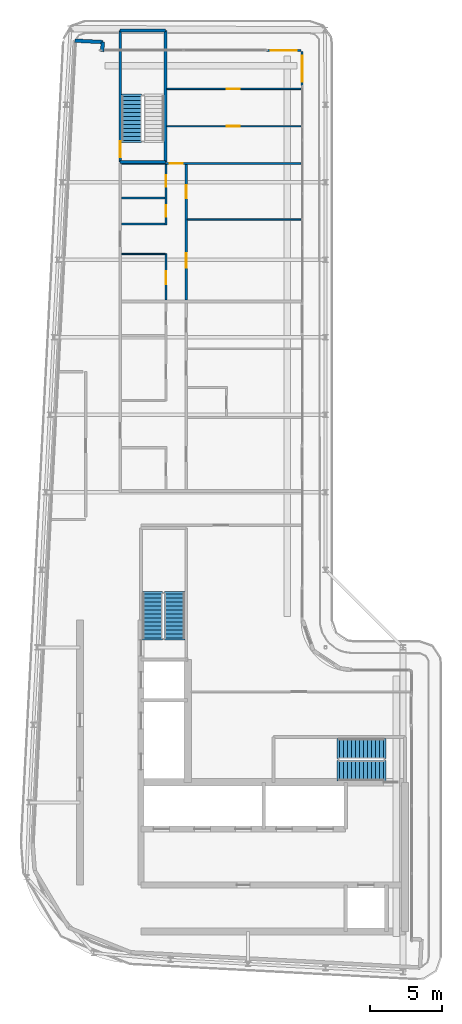
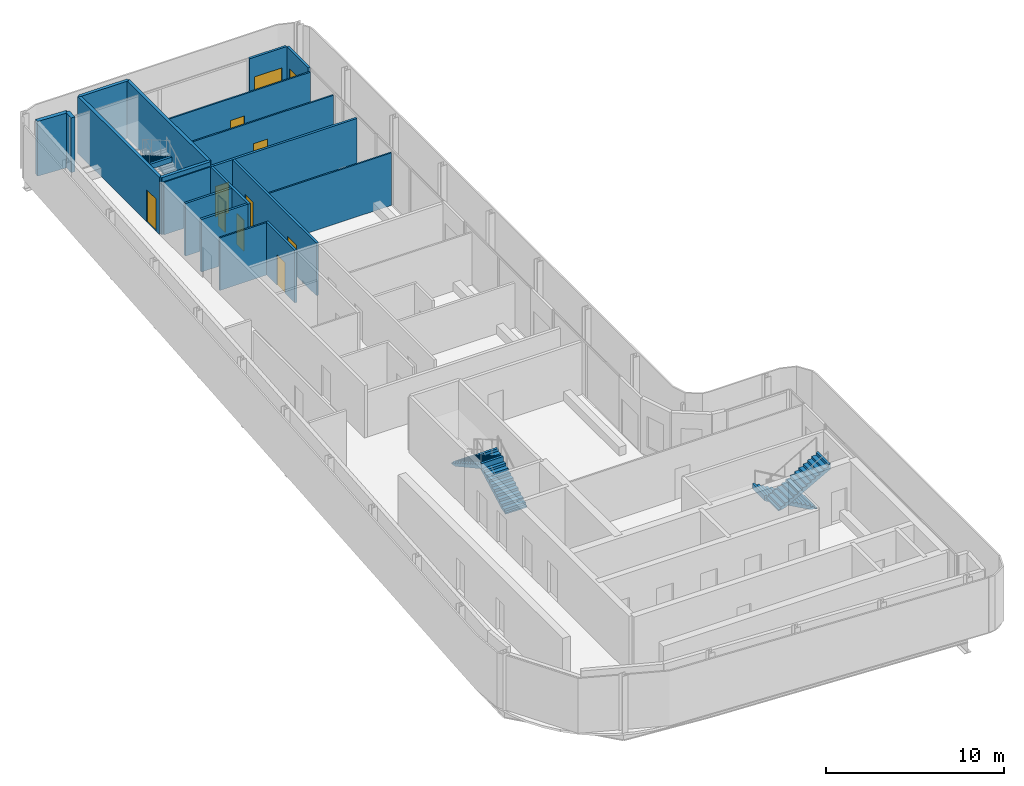
# One storey, part 11 of 17: 18 walls, 11 doors, 5 stair flights, 11 openings, 3 elements without a shape of their own.
"""IFC4 building model written with IfcOpenShell, lengths in metres."""

from ifc_helpers import new_model, si_unit, direction, frame, frame_2d, origin, place, context, subcontext, project, spatial, polyline, rectangle, outline, extrude, source, transform, mapped, material, layer, layer_set, type_object, element, fill, aggregate, save


model = new_model("IFC4")

# Units and contexts
model_context = context("Model", 3, precision=1e-05, world=origin(), true_north=direction((0.0, 1.0)))
body_context = subcontext(model_context, "Body", "Model", "MODEL_VIEW")
ifc_project = project(units=[si_unit("LENGTHUNIT", "METRE"), si_unit("AREAUNIT", "SQUARE_METRE"), si_unit("VOLUMEUNIT", "CUBIC_METRE"), si_unit("PLANEANGLEUNIT", "RADIAN"), si_unit("MASSUNIT", "GRAM", prefix="KILO")], contexts=[model_context])

# Site, building, storey
site_placement = place(None, origin())
site = spatial("IfcSite", under=ifc_project, at=site_placement, CompositionType="ELEMENT")
building_placement = place(site_placement, origin())
building = spatial("IfcBuilding", under=site, at=building_placement, Name="Kheshtan School and Residences Tower", CompositionType="ELEMENT")
storey_placement = place(building_placement, frame((0.0, 0.0, 342.199951171875)))
storey = spatial("IfcBuildingStorey", under=building, at=storey_placement, Name="L80", CompositionType="ELEMENT", Elevation=342.199951171875)

# Walls
ifc_material_1 = material(Name="Concrete C40/50 with ceramic cladding and mineral wool insulation", Category="concrete")
ifc_layer_1 = layer(ifc_material_1, 0.25)
ifc_layer_set_1 = layer_set([ifc_layer_1], Name="External wall 250 ceramic clad")
wall_type_1 = type_object("IfcWallType", Name="External wall 250 ceramic clad", PredefinedType="SOLIDWALL", material=ifc_layer_set_1)
wall_1_placement = place(storey_placement, frame((30.136962890625, 87.864013671875, 0.0), z_axis=(0.0, 0.0, 1.0), x_axis=(0.998577785791, -0.053314216913, 0.0)))
element("IfcWall", 1, at=wall_1_placement, inside=storey, type_object=wall_type_1, Name="External wall L80 1", PredefinedType="SOLIDWALL", context=body_context, shape_type="SweptSolid", body=[
    extrude(rectangle(XDim=1.95068359375, YDim=0.25, at=frame_2d((0.975341796875, 0.0))), origin(), (0.0, 0.0, 1.0), 3.75),
])
wall_2_placement = place(storey_placement, frame((32.0849609375, 87.760009765625, 0.0), z_axis=(0.0, 0.0, 1.0), x_axis=(-0.053729014033, -0.998555553312, 0.0)))
element("IfcWall", 2, at=wall_2_placement, inside=storey, type_object=wall_type_1, Name="External wall L80 2", PredefinedType="SOLIDWALL", context=body_context, shape_type="SweptSolid", body=[
    extrude(rectangle(XDim=0.66796875, YDim=0.25, at=frame_2d((0.333984375, 0.0))), origin(), (0.0, 0.0, 1.0), 3.75),
])

# Wall, opening, door
ifc_material_2 = material(Name="Aluminium frame wall with insulated infill", Category="aluminium")
ifc_layer_2 = layer(ifc_material_2, 0.14990234375)
ifc_layer_set_2 = layer_set([ifc_layer_2], Name="Glazing frame wall 150")
wall_type_2 = type_object("IfcWallType", Name="Glazing frame wall 150", PredefinedType="SOLIDWALL", material=ifc_layer_set_2)
wall_3_placement = place(storey_placement, frame((43.5, 87.175048828125, 0.0), z_axis=(0.0, 0.0, 1.0), x_axis=(1.0, 0.0, 0.0)))
wall_3 = element("IfcWall", 3, at=wall_3_placement, inside=storey, type_object=wall_type_2, Name="Balcony door wall L80 3.1", PredefinedType="SOLIDWALL", context=body_context, shape_type="SweptSolid", body=[
    extrude(rectangle(XDim=2.39990234375, YDim=0.14990234375, at=frame_2d((1.199951171875, 0.0))), origin(), (0.0, 0.0, 1.0), 3.75),
])
opening_1_placement = place(wall_3_placement, frame((0.300048828125, 0.0, 0.0)))
opening_1 = element("IfcOpeningElement", 4, at=opening_1_placement, cuts=wall_3, Name="Opening BD", PredefinedType="OPENING", context=body_context, shape_type="SweptSolid", body=[
    extrude(rectangle(XDim=1.800048828125, YDim=2.39990234375, at=frame_2d((0.89990234375, 1.199951171875))), frame((0.0, 0.0849609375, 0.0), z_axis=(0.0, -1.0, 0.0), x_axis=(1.0, 0.0, 0.0)), (0.0, 0.0, 1.0), 0.169921875),
])
ifc_material_3 = material(Name="Clear low-e glass in thermally broken aluminium frame", Category="aluminium")
door_type_1 = type_object("IfcDoorType", Name="Balcony sliding door", OperationType="SLIDING_TO_LEFT", PredefinedType="DOOR", material=ifc_material_3)
shared_shape_1 = source(origin(), body_context, "Body", "SweptSolid", [
    extrude(rectangle(XDim=1.800048828125, YDim=2.39990234375, at=frame_2d((0.89990234375, 1.199951171875))), frame((0.0, 0.02490234375, 0.0), z_axis=(0.0, -1.0, 0.0), x_axis=(1.0, 0.0, 0.0)), (0.0, 0.0, 1.0), 0.050048828125),
])
door_1_placement = place(opening_1_placement, origin())
door_1 = element("IfcDoor", 5, at=door_1_placement, inside=storey, type_object=door_type_1, Name="Balcony door L80 3.1", OperationType="SLIDING_TO_LEFT", OverallHeight=2.39990234375, OverallWidth=1.800048828125, PredefinedType="DOOR", context=body_context, shape_type="MappedRepresentation", body=[
    mapped(shared_shape_1, transform((0.0, 0.0, 0.0), x_axis=(1.0, 0.0, 0.0), y_axis=(0.0, 1.0, 0.0), z_axis=(0.0, 0.0, 1.0), scale=1.0)),
])
fill(opening_1, door_1)

wall_4_placement = place(storey_placement, frame((45.97509765625, 87.10009765625, 0.0), z_axis=(0.0, 0.0, 1.0), x_axis=(0.0, -1.0, 0.0)))
wall_4 = element("IfcWall", 6, at=wall_4_placement, inside=storey, type_object=wall_type_2, Name="Balcony door wall L80 4.1", PredefinedType="SOLIDWALL", context=body_context, shape_type="SweptSolid", body=[
    extrude(rectangle(XDim=2.400146484375, YDim=0.14990234375, at=frame_2d((1.2001953125, 0.0))), origin(), (0.0, 0.0, 1.0), 3.75),
])
opening_2_placement = place(wall_4_placement, frame((0.300048828125, 0.0, 0.0)))
opening_2 = element("IfcOpeningElement", 7, at=opening_2_placement, cuts=wall_4, Name="Opening BD", PredefinedType="OPENING", context=body_context, shape_type="SweptSolid", body=[
    extrude(rectangle(XDim=1.800048828125, YDim=2.39990234375, at=frame_2d((0.89990234375, 1.199951171875))), frame((0.0, 0.0849609375, 0.0), z_axis=(0.0, -1.0, 0.0), x_axis=(1.0, 0.0, 0.0)), (0.0, 0.0, 1.0), 0.169921875),
])
door_2_placement = place(opening_2_placement, origin())
door_2 = element("IfcDoor", 8, at=door_2_placement, inside=storey, type_object=door_type_1, Name="Balcony door L80 4.1", OperationType="SLIDING_TO_LEFT", OverallHeight=2.39990234375, OverallWidth=1.800048828125, PredefinedType="DOOR", context=body_context, shape_type="MappedRepresentation", body=[
    mapped(shared_shape_1, transform((0.0, 0.0, 0.0), x_axis=(1.0, 0.0, 0.0), y_axis=(0.0, 1.0, 0.0), z_axis=(0.0, 0.0, 1.0), scale=1.0)),
])
fill(opening_2, door_2)

# Wall
ifc_material_4 = material(Name="Gypsum board on steel studs", Category="steel")
ifc_layer_3 = layer(ifc_material_4, 0.10009765625)
ifc_layer_set_3 = layer_set([ifc_layer_3], Name="Gypsum partition 100")
wall_type_3 = type_object("IfcWallType", Name="Gypsum partition 100", PredefinedType="PARTITIONING", material=ifc_layer_set_3)
wall_5_placement = place(storey_placement, frame((33.39990234375, 73.0, 0.0), z_axis=(0.0, 0.0, 1.0), x_axis=(1.0, 0.0, 0.0)))
element("IfcWall", 9, at=wall_5_placement, inside=storey, type_object=wall_type_3, Name="Partition L80-007", PredefinedType="PARTITIONING", context=body_context, shape_type="SweptSolid", body=[
    extrude(rectangle(XDim=3.025146484375, YDim=0.10009765625, at=frame_2d((1.5126953125, 0.0))), origin(), (0.0, 0.0, 1.0), 3.60009765625),
])

# Wall, opening, door
wall_6_placement = place(storey_placement, frame((36.549072265625, 81.89990234375, 0.0), z_axis=(0.0, 0.0, 1.0), x_axis=(1.0, 0.0, 0.0)))
wall_6 = element("IfcWall", 10, at=wall_6_placement, inside=storey, type_object=wall_type_3, Name="Partition L80-016", PredefinedType="PARTITIONING", context=body_context, shape_type="SweptSolid", body=[
    extrude(rectangle(XDim=9.350830078125, YDim=0.10009765625, at=frame_2d((4.67529296875, 0.0))), origin(), (0.0, 0.0, 1.0), 3.60009765625),
])
opening_3_placement = place(wall_6_placement, frame((4.176025390625, 0.0, 0.0)))
opening_3 = element("IfcOpeningElement", 11, at=opening_3_placement, cuts=wall_6, Name="Opening D79-016", PredefinedType="OPENING", context=body_context, shape_type="SweptSolid", body=[
    extrude(rectangle(XDim=0.89990234375, YDim=2.10009765625, at=frame_2d((0.449951171875, 1.050048828125))), frame((0.0, 0.06005859375, 0.0), z_axis=(0.0, -1.0, 0.0), x_axis=(1.0, 0.0, 0.0)), (0.0, 0.0, 1.0), 0.1201171875),
])
ifc_material_5 = material(Name="Veneered timber door leaf", Category="wood")
door_type_2 = type_object("IfcDoorType", Name="Door 900 x 2100", OperationType="SINGLE_SWING_LEFT", PredefinedType="DOOR", material=ifc_material_5)
shared_shape_2 = source(origin(), body_context, "Body", "SweptSolid", [
    extrude(rectangle(XDim=0.89990234375, YDim=2.10009765625, at=frame_2d((0.449951171875, 1.050048828125))), frame((0.0, 0.02490234375, 0.0), z_axis=(0.0, -1.0, 0.0), x_axis=(1.0, 0.0, 0.0)), (0.0, 0.0, 1.0), 0.050048828125),
])
door_3_placement = place(opening_3_placement, origin())
door_3 = element("IfcDoor", 12, at=door_3_placement, inside=storey, type_object=door_type_2, Name="Door D79-016", OperationType="SINGLE_SWING_RIGHT", OverallHeight=2.10009765625, OverallWidth=0.89990234375, PredefinedType="DOOR", context=body_context, shape_type="MappedRepresentation", body=[
    mapped(shared_shape_2, transform((0.0, 0.0, 0.0), x_axis=(1.0, 0.0, 0.0), y_axis=(0.0, 1.0, 0.0), z_axis=(0.0, 0.0, 1.0), scale=1.0)),
])
fill(opening_3, door_3)

wall_7_placement = place(storey_placement, frame((36.549072265625, 84.5, 0.0), z_axis=(0.0, 0.0, 1.0), x_axis=(1.0, 0.0, 0.0)))
wall_7 = element("IfcWall", 13, at=wall_7_placement, inside=storey, type_object=wall_type_3, Name="Partition L80-017", PredefinedType="PARTITIONING", context=body_context, shape_type="SweptSolid", body=[
    extrude(rectangle(XDim=9.350830078125, YDim=0.10009765625, at=frame_2d((4.67529296875, 0.0))), origin(), (0.0, 0.0, 1.0), 3.60009765625),
])
opening_4_placement = place(wall_7_placement, frame((4.176025390625, 0.0, 0.0)))
opening_4 = element("IfcOpeningElement", 14, at=opening_4_placement, cuts=wall_7, Name="Opening D79-017", PredefinedType="OPENING", context=body_context, shape_type="SweptSolid", body=[
    extrude(rectangle(XDim=0.89990234375, YDim=2.10009765625, at=frame_2d((0.449951171875, 1.050048828125))), frame((0.0, 0.06005859375, 0.0), z_axis=(0.0, -1.0, 0.0), x_axis=(1.0, 0.0, 0.0)), (0.0, 0.0, 1.0), 0.1201171875),
])
door_4_placement = place(opening_4_placement, origin())
door_4 = element("IfcDoor", 15, at=door_4_placement, inside=storey, type_object=door_type_2, Name="Door D79-017", OperationType="SINGLE_SWING_RIGHT", OverallHeight=2.10009765625, OverallWidth=0.89990234375, PredefinedType="DOOR", context=body_context, shape_type="MappedRepresentation", body=[
    mapped(shared_shape_2, transform((0.0, 0.0, 0.0), x_axis=(1.0, 0.0, 0.0), y_axis=(0.0, 1.0, 0.0), z_axis=(0.0, 0.0, 1.0), scale=1.0)),
])
fill(opening_4, door_4)

# Walls
wall_8_placement = place(storey_placement, frame((37.97509765625, 75.39990234375, 0.0), z_axis=(0.0, 0.0, 1.0), x_axis=(1.0, 0.0, 0.0)))
element("IfcWall", 16, at=wall_8_placement, inside=storey, type_object=wall_type_3, Name="Partition L80-023", PredefinedType="PARTITIONING", context=body_context, shape_type="SweptSolid", body=[
    extrude(rectangle(XDim=7.9248046875, YDim=0.10009765625, at=frame_2d((3.96240234375, 0.0))), origin(), (0.0, 0.0, 1.0), 3.60009765625),
])
ifc_material_6 = material(Name="Concrete C40/50", Category="concrete")
ifc_layer_4 = layer(ifc_material_6, 0.199951171875)
ifc_layer_set_4 = layer_set([ifc_layer_4], Name="Stair enclosure wall 200 Concrete C40/50")
wall_type_4 = type_object("IfcWallType", Name="Stair enclosure wall 200 Concrete C40/50", PredefinedType="SHEAR", material=ifc_layer_set_4)
for number, where, z_axis, x_axis, name in (
    (17, (33.300048828125, 79.39990234375, 0.0), (0.0, 0.0, 1.0), (1.0, 0.0, 0.0), "Stair enclosure wall ST3"),
    (18, (33.300048828125, 88.56005859375, 0.0), (0.0, 0.0, 1.0), (1.0, 0.0, 0.0), "Stair enclosure wall ST3"),
):
    element("IfcWall", number, at=place(storey_placement, frame(where, z_axis=z_axis, x_axis=x_axis)), inside=storey, type_object=wall_type_4, Name=name, PredefinedType="SHEAR", context=body_context, shape_type="SweptSolid", body=[
        extrude(rectangle(XDim=3.14990234375, YDim=0.199951171875, at=frame_2d((1.574951171875, 0.0))), origin(), (0.0, 0.0, 1.0), 3.900146484375),
    ])

# Wall, opening, door
wall_9_placement = place(storey_placement, frame((33.300048828125, 79.39990234375, 0.0), z_axis=(0.0, 0.0, 1.0), x_axis=(0.0, 1.0, 0.0)))
wall_9 = element("IfcWall", 19, at=wall_9_placement, inside=storey, type_object=wall_type_4, Name="Stair enclosure wall ST3", PredefinedType="SHEAR", context=body_context, shape_type="SweptSolid", body=[
    extrude(rectangle(XDim=9.16015625, YDim=0.199951171875, at=frame_2d((4.580078125, 0.0))), origin(), (0.0, 0.0, 1.0), 3.900146484375),
])
opening_5_placement = place(wall_9_placement, frame((0.35009765625, 0.0, 0.0)))
opening_5 = element("IfcOpeningElement", 20, at=opening_5_placement, cuts=wall_9, Name="Opening ST3D", PredefinedType="OPENING", context=body_context, shape_type="SweptSolid", body=[
    extrude(rectangle(XDim=1.10009765625, YDim=2.199951171875, at=frame_2d((0.550048828125, 1.10009765625))), frame((0.0, 0.10986328125, 0.0), z_axis=(0.0, -1.0, 0.0), x_axis=(1.0, 0.0, 0.0)), (0.0, 0.0, 1.0), 0.219970703125),
])
ifc_material_7 = material(Name="Steel door leaf, galvanised", Category="steel")
door_type_3 = type_object("IfcDoorType", Name="Stair door 1100 steel 90 min", OperationType="SINGLE_SWING_LEFT", PredefinedType="DOOR", material=ifc_material_7)
shared_shape_3 = source(origin(), body_context, "Body", "SweptSolid", [
    extrude(rectangle(XDim=1.10009765625, YDim=2.199951171875, at=frame_2d((0.550048828125, 1.10009765625))), frame((0.0, 0.02490234375, 0.0), z_axis=(0.0, -1.0, 0.0), x_axis=(1.0, 0.0, 0.0)), (0.0, 0.0, 1.0), 0.050048828125),
])
door_5_placement = place(opening_5_placement, origin())
door_5 = element("IfcDoor", 21, at=door_5_placement, inside=storey, type_object=door_type_3, Name="Stair ST3 door", OperationType="SINGLE_SWING_RIGHT", OverallHeight=2.199951171875, OverallWidth=1.10009765625, PredefinedType="DOOR", context=body_context, shape_type="MappedRepresentation", body=[
    mapped(shared_shape_3, transform((0.0, 0.0, 0.0), x_axis=(1.0, 0.0, 0.0), y_axis=(0.0, 1.0, 0.0), z_axis=(0.0, 0.0, 1.0), scale=1.0)),
])
fill(opening_5, door_5)

# Walls
wall_10_placement = place(storey_placement, frame((36.449951171875, 79.39990234375, 0.0), z_axis=(0.0, 0.0, 1.0), x_axis=(0.0, 1.0, 0.0)))
element("IfcWall", 22, at=wall_10_placement, inside=storey, type_object=wall_type_4, Name="Stair enclosure wall ST3", PredefinedType="SHEAR", context=body_context, shape_type="SweptSolid", body=[
    extrude(rectangle(XDim=9.16015625, YDim=0.199951171875, at=frame_2d((4.580078125, 0.0))), origin(), (0.0, 0.0, 1.0), 3.900146484375),
])
ifc_material_8 = material(Name="Moisture-resistant gypsum board on steel studs", Category="steel")
ifc_layer_5 = layer(ifc_material_8, 0.14990234375)
ifc_layer_set_5 = layer_set([ifc_layer_5], Name="Wet-room partition 150")
wall_type_5 = type_object("IfcWallType", Name="Wet-room partition 150", PredefinedType="PARTITIONING", material=ifc_layer_set_5)
for number, where, z_axis, x_axis, name in (
    (23, (33.39990234375, 75.10009765625, 0.0), (0.0, 0.0, 1.0), (1.0, 0.0, 0.0), "Partition L80-008"),
    (24, (33.39990234375, 76.89990234375, 0.0), (0.0, 0.0, 1.0), (1.0, 0.0, 0.0), "Partition L80-009"),
):
    element("IfcWall", number, at=place(storey_placement, frame(where, z_axis=z_axis, x_axis=x_axis)), inside=storey, type_object=wall_type_5, Name=name, PredefinedType="PARTITIONING", context=body_context, shape_type="SweptSolid", body=[
        extrude(rectangle(XDim=3.025146484375, YDim=0.14990234375, at=frame_2d((1.5126953125, 0.0))), origin(), (0.0, 0.0, 1.0), 3.60009765625),
    ])

# Wall, opening, door
wall_11_placement = place(storey_placement, frame((33.39990234375, 79.300048828125, 0.0), z_axis=(0.0, 0.0, 1.0), x_axis=(1.0, 0.0, 0.0)))
wall_11 = element("IfcWall", 25, at=wall_11_placement, inside=storey, type_object=wall_type_5, Name="Partition L80-010", PredefinedType="PARTITIONING", context=body_context, shape_type="SweptSolid", body=[
    extrude(rectangle(XDim=12.5, YDim=0.14990234375, at=frame_2d((6.25, 0.0))), origin(), (0.0, 0.0, 1.0), 3.60009765625),
])
opening_6_placement = place(wall_11_placement, frame((3.35498046875, 0.0, 0.0)))
opening_6 = element("IfcOpeningElement", 26, at=opening_6_placement, cuts=wall_11, Name="Opening D79-015", PredefinedType="OPENING", context=body_context, shape_type="SweptSolid", body=[
    extrude(rectangle(XDim=0.89990234375, YDim=2.10009765625, at=frame_2d((0.449951171875, 1.050048828125))), frame((0.0, 0.0849609375, 0.0), z_axis=(0.0, -1.0, 0.0), x_axis=(1.0, 0.0, 0.0)), (0.0, 0.0, 1.0), 0.169921875),
])
door_6_placement = place(opening_6_placement, origin())
door_6 = element("IfcDoor", 27, at=door_6_placement, inside=storey, type_object=door_type_2, Name="Door D79-015", OperationType="SINGLE_SWING_LEFT", OverallHeight=2.10009765625, OverallWidth=0.89990234375, PredefinedType="DOOR", context=body_context, shape_type="MappedRepresentation", body=[
    mapped(shared_shape_2, transform((0.0, 0.0, 0.0), x_axis=(1.0, 0.0, 0.0), y_axis=(0.0, 1.0, 0.0), z_axis=(0.0, 0.0, 1.0), scale=1.0)),
])
fill(opening_6, door_6)

wall_12_placement = place(storey_placement, frame((36.5, 69.800048828125, 0.0), z_axis=(0.0, 0.0, 1.0), x_axis=(0.0, 1.0, 0.0)))
wall_12 = element("IfcWall", 28, at=wall_12_placement, inside=storey, type_object=wall_type_5, Name="Partition L80-014", PredefinedType="PARTITIONING", context=body_context, shape_type="SweptSolid", body=[
    extrude(rectangle(XDim=3.25, YDim=0.14990234375, at=frame_2d((1.625, 0.0))), origin(), (0.0, 0.0, 1.0), 3.60009765625),
])
opening_7_placement = place(wall_12_placement, frame((1.10009765625, 0.0, 0.0)))
opening_7 = element("IfcOpeningElement", 29, at=opening_7_placement, cuts=wall_12, Name="Opening D79-012", PredefinedType="OPENING", context=body_context, shape_type="SweptSolid", body=[
    extrude(rectangle(XDim=0.89990234375, YDim=2.10009765625, at=frame_2d((0.449951171875, 1.050048828125))), frame((0.0, 0.0849609375, 0.0), z_axis=(0.0, -1.0, 0.0), x_axis=(1.0, 0.0, 0.0)), (0.0, 0.0, 1.0), 0.169921875),
])
door_7_placement = place(opening_7_placement, origin())
door_7 = element("IfcDoor", 30, at=door_7_placement, inside=storey, type_object=door_type_2, Name="Door D79-012", OperationType="SINGLE_SWING_LEFT", OverallHeight=2.10009765625, OverallWidth=0.89990234375, PredefinedType="DOOR", context=body_context, shape_type="MappedRepresentation", body=[
    mapped(shared_shape_2, transform((0.0, 0.0, 0.0), x_axis=(1.0, 0.0, 0.0), y_axis=(0.0, 1.0, 0.0), z_axis=(0.0, 0.0, 1.0), scale=1.0)),
])
fill(opening_7, door_7)

# Wall, openings, doors
wall_13_placement = place(storey_placement, frame((36.5, 75.02490234375, 0.0), z_axis=(0.0, 0.0, 1.0), x_axis=(0.0, 1.0, 0.0)))
wall_13 = element("IfcWall", 31, at=wall_13_placement, inside=storey, type_object=wall_type_5, Name="Partition L80-015", PredefinedType="PARTITIONING", context=body_context, shape_type="SweptSolid", body=[
    extrude(rectangle(XDim=4.2001953125, YDim=0.14990234375, at=frame_2d((2.10009765625, 0.0))), origin(), (0.0, 0.0, 1.0), 3.60009765625),
])
opening_8_placement = place(wall_13_placement, frame((2.675048828125, 0.0, 0.0)))
opening_8 = element("IfcOpeningElement", 32, at=opening_8_placement, cuts=wall_13, Name="Opening D79-009", PredefinedType="OPENING", context=body_context, shape_type="SweptSolid", body=[
    extrude(rectangle(XDim=0.800048828125, YDim=2.10009765625, at=frame_2d((0.39990234375, 1.050048828125))), frame((0.0, 0.0849609375, 0.0), z_axis=(0.0, -1.0, 0.0), x_axis=(1.0, 0.0, 0.0)), (0.0, 0.0, 1.0), 0.169921875),
])
opening_9_placement = place(wall_13_placement, frame((0.574951171875, 0.0, 0.0)))
opening_9 = element("IfcOpeningElement", 33, at=opening_9_placement, cuts=wall_13, Name="Opening D79-014", PredefinedType="OPENING", context=body_context, shape_type="SweptSolid", body=[
    extrude(rectangle(XDim=0.800048828125, YDim=2.10009765625, at=frame_2d((0.39990234375, 1.050048828125))), frame((0.0, 0.0849609375, 0.0), z_axis=(0.0, -1.0, 0.0), x_axis=(1.0, 0.0, 0.0)), (0.0, 0.0, 1.0), 0.169921875),
])
door_type_4 = type_object("IfcDoorType", Name="Door 800 x 2100", OperationType="SINGLE_SWING_LEFT", PredefinedType="DOOR", material=ifc_material_5)
shared_shape_4 = source(origin(), body_context, "Body", "SweptSolid", [
    extrude(rectangle(XDim=0.800048828125, YDim=2.10009765625, at=frame_2d((0.39990234375, 1.050048828125))), frame((0.0, 0.02490234375, 0.0), z_axis=(0.0, -1.0, 0.0), x_axis=(1.0, 0.0, 0.0)), (0.0, 0.0, 1.0), 0.050048828125),
])
door_8_placement = place(opening_8_placement, origin())
door_8 = element("IfcDoor", 34, at=door_8_placement, inside=storey, type_object=door_type_4, Name="Door D79-009", OperationType="SINGLE_SWING_LEFT", OverallHeight=2.10009765625, OverallWidth=0.800048828125, PredefinedType="DOOR", context=body_context, shape_type="MappedRepresentation", body=[
    mapped(shared_shape_4, transform((0.0, 0.0, 0.0), x_axis=(1.0, 0.0, 0.0), y_axis=(0.0, 1.0, 0.0), z_axis=(0.0, 0.0, 1.0), scale=1.0)),
])
fill(opening_8, door_8)
door_9_placement = place(opening_9_placement, origin())
door_9 = element("IfcDoor", 35, at=door_9_placement, inside=storey, type_object=door_type_4, Name="Door D79-014", OperationType="SINGLE_SWING_RIGHT", OverallHeight=2.10009765625, OverallWidth=0.800048828125, PredefinedType="DOOR", context=body_context, shape_type="MappedRepresentation", body=[
    mapped(shared_shape_4, transform((0.0, 0.0, 0.0), x_axis=(1.0, 0.0, 0.0), y_axis=(0.0, 1.0, 0.0), z_axis=(0.0, 0.0, 1.0), scale=1.0)),
])
fill(opening_9, door_9)

wall_14_placement = place(storey_placement, frame((37.89990234375, 69.800048828125, 0.0), z_axis=(0.0, 0.0, 1.0), x_axis=(0.0, 1.0, 0.0)))
wall_14 = element("IfcWall", 36, at=wall_14_placement, inside=storey, type_object=wall_type_5, Name="Partition L80-019", PredefinedType="PARTITIONING", context=body_context, shape_type="SweptSolid", body=[
    extrude(rectangle(XDim=9.425048828125, YDim=0.14990234375, at=frame_2d((4.71240234375, 0.0))), origin(), (0.0, 0.0, 1.0), 3.60009765625),
])
opening_10_placement = place(wall_14_placement, frame((7.10009765625, 0.0, 0.0)))
opening_10 = element("IfcOpeningElement", 37, at=opening_10_placement, cuts=wall_14, Name="Opening D79-010", PredefinedType="OPENING", context=body_context, shape_type="SweptSolid", body=[
    extrude(rectangle(XDim=0.89990234375, YDim=2.10009765625, at=frame_2d((0.449951171875, 1.050048828125))), frame((0.0, 0.0849609375, 0.0), z_axis=(0.0, -1.0, 0.0), x_axis=(1.0, 0.0, 0.0)), (0.0, 0.0, 1.0), 0.169921875),
])
opening_11_placement = place(wall_14_placement, frame((2.25, 0.0, 0.0)))
opening_11 = element("IfcOpeningElement", 38, at=opening_11_placement, cuts=wall_14, Name="Opening D79-013", PredefinedType="OPENING", context=body_context, shape_type="SweptSolid", body=[
    extrude(rectangle(XDim=1.0, YDim=2.10009765625, at=frame_2d((0.5, 1.050048828125))), frame((0.0, 0.0849609375, 0.0), z_axis=(0.0, -1.0, 0.0), x_axis=(1.0, 0.0, 0.0)), (0.0, 0.0, 1.0), 0.169921875),
])
door_type_5 = type_object("IfcDoorType", Name="Door 1000 x 2100", OperationType="SINGLE_SWING_LEFT", PredefinedType="DOOR", material=ifc_material_5)
shared_shape_5 = source(origin(), body_context, "Body", "SweptSolid", [
    extrude(rectangle(XDim=1.0, YDim=2.10009765625, at=frame_2d((0.5, 1.050048828125))), frame((0.0, 0.02490234375, 0.0), z_axis=(0.0, -1.0, 0.0), x_axis=(1.0, 0.0, 0.0)), (0.0, 0.0, 1.0), 0.050048828125),
])
door_10_placement = place(opening_11_placement, origin())
door_10 = element("IfcDoor", 39, at=door_10_placement, inside=storey, type_object=door_type_5, Name="Door D79-013", OperationType="SINGLE_SWING_RIGHT", OverallHeight=2.10009765625, OverallWidth=1.0, PredefinedType="DOOR", context=body_context, shape_type="MappedRepresentation", body=[
    mapped(shared_shape_5, transform((0.0, 0.0, 0.0), x_axis=(1.0, 0.0, 0.0), y_axis=(0.0, 1.0, 0.0), z_axis=(0.0, 0.0, 1.0), scale=1.0)),
])
fill(opening_11, door_10)
door_11_placement = place(opening_10_placement, origin())
door_11 = element("IfcDoor", 40, at=door_11_placement, inside=storey, type_object=door_type_2, Name="Door D79-010", OperationType="SINGLE_SWING_RIGHT", OverallHeight=2.10009765625, OverallWidth=0.89990234375, PredefinedType="DOOR", context=body_context, shape_type="MappedRepresentation", body=[
    mapped(shared_shape_2, transform((0.0, 0.0, 0.0), x_axis=(1.0, 0.0, 0.0), y_axis=(0.0, 1.0, 0.0), z_axis=(0.0, 0.0, 1.0), scale=1.0)),
])
fill(opening_10, door_11)

# Stair, stair flights
stair_type = type_object("IfcStairType", Name="Exit stair, half-turn", PredefinedType="HALF_TURN_STAIR", material=ifc_material_6)
stair_1_placement = place(storey_placement, origin())
stair_1 = element("IfcStair", 41, at=stair_1_placement, inside=storey, type_object=stair_type, Name="L80 Protected Exit Stair ST1", PredefinedType="HALF_TURN_STAIR")
ifc_layer_6 = layer(ifc_material_6, 0.14990234375)
ifc_layer_set_6 = layer_set([ifc_layer_6], Name="Stair flight 1400 Concrete C40/50")
stair_flight_type = type_object("IfcStairFlightType", Name="Stair flight 1400 Concrete C40/50", PredefinedType="STRAIGHT", material=ifc_layer_set_6)
stair_flight_1_placement = place(storey_placement, frame((51.64990234375, 38.550048828125, 0.0), z_axis=(0.0, 0.0, 1.0), x_axis=(-1.0, 0.0, 0.0)))
stair_flight_1 = element("IfcStairFlight", 42, at=stair_flight_1_placement, type_object=stair_flight_type, Name="ST1 flight 1", NumberOfRisers=12, NumberOfTreads=11, PredefinedType="STRAIGHT", RiserHeight=0.1625, TreadLength=0.28, context=body_context, shape_type="SweptSolid", body=[
    extrude(outline(polyline([(-0.14990234375, -0.10009765625), (-0.14990234375, 0.0), (0.0, 0.0), (0.0, 0.16259765625), (0.280029296875, 0.16259765625), (0.280029296875, 0.324951171875), (0.56005859375, 0.324951171875), (0.56005859375, 0.487548828125), (0.840087890625, 0.487548828125), (0.840087890625, 0.64990234375), (1.1201171875, 0.64990234375), (1.1201171875, 0.8125), (1.39990234375, 0.8125), (1.39990234375, 0.97509765625), (1.679931640625, 0.97509765625), (1.679931640625, 1.137451171875), (1.9599609375, 1.137451171875), (1.9599609375, 1.300048828125), (2.239990234375, 1.300048828125), (2.239990234375, 1.46240234375), (2.52001953125, 1.46240234375), (2.52001953125, 1.625), (2.800048828125, 1.625), (2.800048828125, 1.78759765625), (3.080078125, 1.78759765625), (3.080078125, 1.949951171875), (3.080078125, 1.969970703125), (3.22998046875, 1.969970703125), (3.22998046875, 1.6142578125), (0.298583984375, 0.0), (-0.14990234375, -0.10009765625)])), frame((0.0, 0.699951171875, 0.0), z_axis=(0.0, -1.0, 0.0), x_axis=(1.0, 0.0, 0.0)), (0.0, 0.0, 1.0), 1.39990234375),
])
stair_flight_2_placement = place(storey_placement, frame((48.570068359375, 37.0, 1.949951171875), z_axis=(0.0, 0.0, 1.0), x_axis=(1.0, 0.0, 0.0)))
stair_flight_2 = element("IfcStairFlight", 43, at=stair_flight_2_placement, type_object=stair_flight_type, Name="ST1 flight 2", NumberOfRisers=12, NumberOfTreads=11, PredefinedType="STRAIGHT", RiserHeight=0.1625, TreadLength=0.28, context=body_context, shape_type="SweptSolid", body=[
    extrude(outline(polyline([(-0.14990234375, -0.10009765625), (-0.14990234375, 0.0), (0.0, 0.0), (0.0, 0.16259765625), (0.280029296875, 0.16259765625), (0.280029296875, 0.324951171875), (0.56005859375, 0.324951171875), (0.56005859375, 0.487548828125), (0.840087890625, 0.487548828125), (0.840087890625, 0.64990234375), (1.1201171875, 0.64990234375), (1.1201171875, 0.8125), (1.39990234375, 0.8125), (1.39990234375, 0.97509765625), (1.679931640625, 0.97509765625), (1.679931640625, 1.137451171875), (1.9599609375, 1.137451171875), (1.9599609375, 1.300048828125), (2.239990234375, 1.300048828125), (2.239990234375, 1.46240234375), (2.52001953125, 1.46240234375), (2.52001953125, 1.625), (2.800048828125, 1.625), (2.800048828125, 1.78759765625), (3.080078125, 1.78759765625), (3.080078125, 1.949951171875), (3.080078125, 1.969970703125), (3.22998046875, 1.969970703125), (3.22998046875, 1.6142578125), (0.298583984375, 0.0), (-0.14990234375, -0.10009765625)])), frame((0.0, 0.699951171875, 0.0), z_axis=(0.0, -1.0, 0.0), x_axis=(1.0, 0.0, 0.0)), (0.0, 0.0, 1.0), 1.39990234375),
])
aggregate(stair_1, [stair_flight_1, stair_flight_2])

stair_2_placement = place(storey_placement, origin())
stair_2 = element("IfcStair", 44, at=stair_2_placement, inside=storey, type_object=stair_type, Name="L80 Protected Exit Stair ST2", PredefinedType="HALF_TURN_STAIR")
stair_flight_3_placement = place(storey_placement, frame((37.10009765625, 46.25, 0.0), z_axis=(0.0, 0.0, 1.0), x_axis=(0.0, 1.0, 0.0)))
stair_flight_3 = element("IfcStairFlight", 45, at=stair_flight_3_placement, type_object=stair_flight_type, Name="ST2 flight 1", NumberOfRisers=12, NumberOfTreads=11, PredefinedType="STRAIGHT", RiserHeight=0.1625, TreadLength=0.28, context=body_context, shape_type="SweptSolid", body=[
    extrude(outline(polyline([(-0.14990234375, -0.10009765625), (-0.14990234375, 0.0), (0.0, 0.0), (0.0, 0.16259765625), (0.280029296875, 0.16259765625), (0.280029296875, 0.324951171875), (0.56005859375, 0.324951171875), (0.56005859375, 0.487548828125), (0.840087890625, 0.487548828125), (0.840087890625, 0.64990234375), (1.1201171875, 0.64990234375), (1.1201171875, 0.8125), (1.39990234375, 0.8125), (1.39990234375, 0.97509765625), (1.679931640625, 0.97509765625), (1.679931640625, 1.137451171875), (1.9599609375, 1.137451171875), (1.9599609375, 1.300048828125), (2.239990234375, 1.300048828125), (2.239990234375, 1.46240234375), (2.52001953125, 1.46240234375), (2.52001953125, 1.625), (2.800048828125, 1.625), (2.800048828125, 1.78759765625), (3.080078125, 1.78759765625), (3.080078125, 1.949951171875), (3.080078125, 1.969970703125), (3.22998046875, 1.969970703125), (3.22998046875, 1.6142578125), (0.298583984375, 0.0), (-0.14990234375, -0.10009765625)])), frame((0.0, 0.699951171875, 0.0), z_axis=(0.0, -1.0, 0.0), x_axis=(1.0, 0.0, 0.0)), (0.0, 0.0, 1.0), 1.39990234375),
])
stair_flight_4_placement = place(storey_placement, frame((35.550048828125, 49.330078125, 1.949951171875), z_axis=(0.0, 0.0, 1.0), x_axis=(0.0, -1.0, 0.0)))
stair_flight_4 = element("IfcStairFlight", 46, at=stair_flight_4_placement, type_object=stair_flight_type, Name="ST2 flight 2", NumberOfRisers=12, NumberOfTreads=11, PredefinedType="STRAIGHT", RiserHeight=0.1625, TreadLength=0.28, context=body_context, shape_type="SweptSolid", body=[
    extrude(outline(polyline([(-0.14990234375, -0.10009765625), (-0.14990234375, 0.0), (0.0, 0.0), (0.0, 0.16259765625), (0.280029296875, 0.16259765625), (0.280029296875, 0.324951171875), (0.56005859375, 0.324951171875), (0.56005859375, 0.487548828125), (0.840087890625, 0.487548828125), (0.840087890625, 0.64990234375), (1.1201171875, 0.64990234375), (1.1201171875, 0.8125), (1.39990234375, 0.8125), (1.39990234375, 0.97509765625), (1.679931640625, 0.97509765625), (1.679931640625, 1.137451171875), (1.9599609375, 1.137451171875), (1.9599609375, 1.300048828125), (2.239990234375, 1.300048828125), (2.239990234375, 1.46240234375), (2.52001953125, 1.46240234375), (2.52001953125, 1.625), (2.800048828125, 1.625), (2.800048828125, 1.78759765625), (3.080078125, 1.78759765625), (3.080078125, 1.949951171875), (3.080078125, 1.969970703125), (3.22998046875, 1.969970703125), (3.22998046875, 1.6142578125), (0.298583984375, 0.0), (-0.14990234375, -0.10009765625)])), frame((0.0, 0.699951171875, 0.0), z_axis=(0.0, -1.0, 0.0), x_axis=(1.0, 0.0, 0.0)), (0.0, 0.0, 1.0), 1.39990234375),
])
aggregate(stair_2, [stair_flight_3, stair_flight_4])

# Stair, stair flight
stair_3_placement = place(storey_placement, origin())
stair_3 = element("IfcStair", 47, at=stair_3_placement, inside=storey, type_object=stair_type, Name="L80 Protected Exit Stair ST3", PredefinedType="HALF_TURN_STAIR")
stair_flight_5_placement = place(storey_placement, frame((34.10009765625, 83.97998046875, 1.949951171875), z_axis=(0.0, 0.0, 1.0), x_axis=(0.0, -1.0, 0.0)))
stair_flight_5 = element("IfcStairFlight", 48, at=stair_flight_5_placement, type_object=stair_flight_type, Name="ST3 flight 2", NumberOfRisers=12, NumberOfTreads=11, PredefinedType="STRAIGHT", RiserHeight=0.1625, TreadLength=0.28, context=body_context, shape_type="SweptSolid", body=[
    extrude(outline(polyline([(-0.14990234375, -0.10009765625), (-0.14990234375, 0.0), (0.0, 0.0), (0.0, 0.16259765625), (0.280029296875, 0.16259765625), (0.280029296875, 0.324951171875), (0.56005859375, 0.324951171875), (0.56005859375, 0.487548828125), (0.840087890625, 0.487548828125), (0.840087890625, 0.64990234375), (1.1201171875, 0.64990234375), (1.1201171875, 0.8125), (1.39990234375, 0.8125), (1.39990234375, 0.97509765625), (1.679931640625, 0.97509765625), (1.679931640625, 1.137451171875), (1.9599609375, 1.137451171875), (1.9599609375, 1.300048828125), (2.239990234375, 1.300048828125), (2.239990234375, 1.46240234375), (2.52001953125, 1.46240234375), (2.52001953125, 1.625), (2.800048828125, 1.625), (2.800048828125, 1.78759765625), (3.080078125, 1.78759765625), (3.080078125, 1.949951171875), (3.080078125, 1.969970703125), (3.22998046875, 1.969970703125), (3.22998046875, 1.6142578125), (0.298583984375, 0.0), (-0.14990234375, -0.10009765625)])), frame((0.0, 0.699951171875, 0.0), z_axis=(0.0, -1.0, 0.0), x_axis=(1.0, 0.0, 0.0)), (0.0, 0.0, 1.0), 1.39990234375),
])
aggregate(stair_3, [stair_flight_5])

save(model, "model.ifc")
